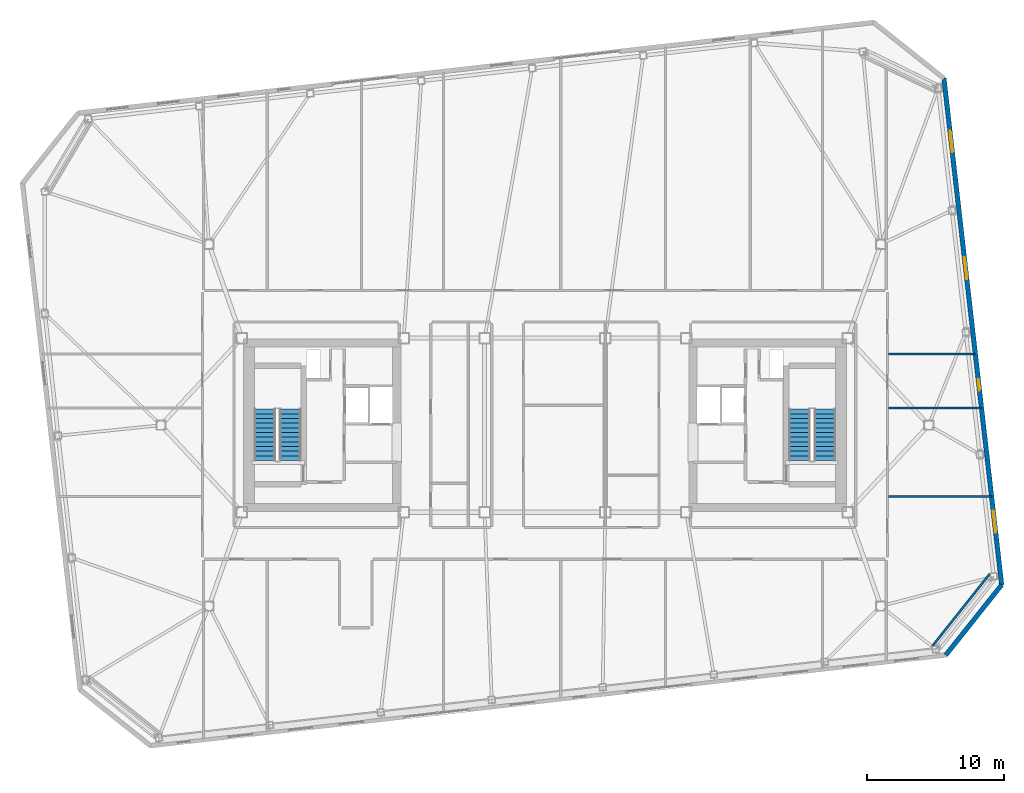
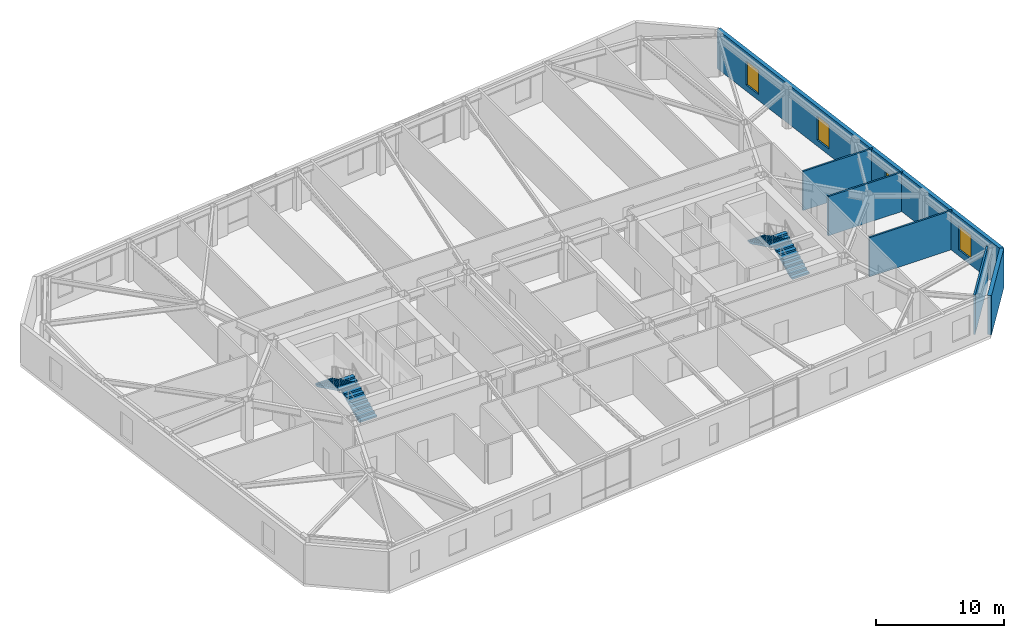
# One storey, part 16 of 19: 6 walls, 4 stair flights, 4 windows, 4 openings, 2 elements without a shape of their own.
"""IFC4 building model written with IfcOpenShell, lengths in metres."""

from ifc_helpers import new_model, si_unit, direction, frame, frame_2d, origin, place, context, subcontext, project, spatial, polyline, rectangle, outline, extrude, material, layer, layer_set, type_object, element, fill, aggregate, save


model = new_model("IFC4")

# Units and contexts
model_context = context("Model", 3, precision=1e-05, world=origin(), true_north=direction((0.0, 1.0)))
body_context = subcontext(model_context, "Body", "Model", "MODEL_VIEW")
ifc_project = project(units=[si_unit("LENGTHUNIT", "METRE"), si_unit("AREAUNIT", "SQUARE_METRE"), si_unit("VOLUMEUNIT", "CUBIC_METRE"), si_unit("PLANEANGLEUNIT", "RADIAN"), si_unit("MASSUNIT", "GRAM", prefix="KILO")], contexts=[model_context])

# Site, building, storey
site_placement = place(None, origin())
site = spatial("IfcSite", under=ifc_project, at=site_placement, CompositionType="ELEMENT")
building_placement = place(site_placement, origin())
building = spatial("IfcBuilding", under=site, at=building_placement, Name="Tavrogorsk Clinical Tower", CompositionType="ELEMENT")
storey_placement = place(building_placement, frame((0.0, 0.0, 255.0)))
storey = spatial("IfcBuildingStorey", under=building, at=storey_placement, Name="L59", CompositionType="ELEMENT", Elevation=255.0)

# Walls
ifc_material_1 = material(Name="Lightweight concrete blockwork B15", Category="masonry")
ifc_layer_1 = layer(ifc_material_1, 0.159912109375)
ifc_layer_set_1 = layer_set([ifc_layer_1], Name="Lightweight concrete blockwork B15")
wall_type_1 = type_object("IfcWallType", Name="PartitionWall_160", PredefinedType="PARTITIONING", material=ifc_layer_set_1)
wall_1_placement = place(storey_placement, frame((28.242431640625, -16.1337890625, 0.0), z_axis=(0.0, 0.0, 1.0), x_axis=(0.622521563328, 0.782602647064, 0.0)))
element("IfcWall", 1, at=wall_1_placement, inside=storey, type_object=wall_type_1, Name="L59 Corner Exoskeleton Brace Furring Wall 1", PredefinedType="PARTITIONING", context=body_context, shape_type="SweptSolid", body=[
    extrude(rectangle(XDim=6.788330078125, YDim=0.159912109375, at=frame_2d((3.39404296875, 0.0))), origin(), (0.0, 0.0, 1.0), 3.739990234375),
])
wall_2_placement = place(storey_placement, frame((25.06494140625, -5.199951171875, 0.0), z_axis=(0.0, 0.0, 1.0), x_axis=(1.0, 0.0, 0.0)))
element("IfcWall", 2, at=wall_2_placement, inside=storey, type_object=wall_type_1, Name="L59 E Wing Divider 1", PredefinedType="PARTITIONING", context=body_context, shape_type="SweptSolid", body=[
    extrude(rectangle(XDim=7.498046875, YDim=0.159912109375, at=frame_2d((3.7490234375, 0.0))), origin(), (0.0, 0.0, 1.0), 3.739990234375),
])
wall_3_placement = place(storey_placement, frame((25.06494140625, 1.25, 0.0), z_axis=(0.0, 0.0, 1.0), x_axis=(1.0, 0.0, 0.0)))
element("IfcWall", 3, at=wall_3_placement, inside=storey, type_object=wall_type_1, Name="L59 E Wing Divider 2", PredefinedType="PARTITIONING", context=body_context, shape_type="SweptSolid", body=[
    extrude(rectangle(XDim=6.76318359375, YDim=0.159912109375, at=frame_2d((3.381591796875, 0.0))), origin(), (0.0, 0.0, 1.0), 3.739990234375),
])
wall_4_placement = place(storey_placement, frame((25.06494140625, 5.199951171875, 0.0), z_axis=(0.0, 0.0, 1.0), x_axis=(1.0, 0.0, 0.0)))
element("IfcWall", 4, at=wall_4_placement, inside=storey, type_object=wall_type_1, Name="L59 E Wing Divider 3", PredefinedType="PARTITIONING", context=body_context, shape_type="SweptSolid", body=[
    extrude(rectangle(XDim=6.313232421875, YDim=0.159912109375, at=frame_2d((3.15673828125, 0.0))), origin(), (0.0, 0.0, 1.0), 3.739990234375),
])

# Wall, openings, windows
ifc_material_2 = material(Name="Precast concrete B45 with limestone cladding", Category="masonry")
ifc_layer_2 = layer(ifc_material_2, 0.340087890625)
ifc_layer_set_2 = layer_set([ifc_layer_2], Name="Precast concrete B45 with limestone cladding")
wall_type_2 = type_object("IfcWallType", Name="PrecastLimestoneWall_340", PredefinedType="STANDARD", material=ifc_layer_set_2)
wall_5_placement = place(storey_placement, frame((33.318115234375, -11.65087890625, 0.0), z_axis=(0.0, 0.0, 1.0), x_axis=(-0.11320360501, 0.9935718111, 0.0)))
wall_5 = element("IfcWall", 5, at=wall_5_placement, inside=storey, type_object=wall_type_2, Name="L59 E Pleated Limestone Wing Wall", PredefinedType="STANDARD", context=body_context, shape_type="SweptSolid", body=[
    extrude(rectangle(XDim=37.199951171875, YDim=0.340087890625, at=frame_2d((18.60009765625, 0.0))), origin(), (0.0, 0.0, 1.0), 3.739990234375),
])
opening_1_placement = place(wall_5_placement, frame((3.85009765625, 0.0, 0.580078125)))
opening_1 = element("IfcOpeningElement", 6, at=opening_1_placement, cuts=wall_5, Name="Opening WN-07", PredefinedType="OPENING", context=body_context, shape_type="SweptSolid", body=[
    extrude(rectangle(XDim=1.60009765625, YDim=2.300048828125, at=frame_2d((0.800048828125, 1.14990234375))), frame((0.0, 0.179931640625, 0.0), z_axis=(0.0, -1.0, 0.0), x_axis=(1.0, 0.0, 0.0)), (0.0, 0.0, 1.0), 0.360107421875),
])
opening_2_placement = place(wall_5_placement, frame((14.25, 0.0, 0.75)))
opening_2 = element("IfcOpeningElement", 7, at=opening_2_placement, cuts=wall_5, Name="Opening WN-06", PredefinedType="OPENING", context=body_context, shape_type="SweptSolid", body=[
    extrude(rectangle(XDim=0.85009765625, YDim=1.85009765625, at=frame_2d((0.425048828125, 0.925048828125))), frame((0.0, 0.179931640625, 0.0), z_axis=(0.0, -1.0, 0.0), x_axis=(1.0, 0.0, 0.0)), (0.0, 0.0, 1.0), 0.360107421875),
])
opening_3_placement = place(wall_5_placement, frame((22.449951171875, 0.0, 0.580078125)))
opening_3 = element("IfcOpeningElement", 8, at=opening_3_placement, cuts=wall_5, Name="Opening WN-07", PredefinedType="OPENING", context=body_context, shape_type="SweptSolid", body=[
    extrude(rectangle(XDim=1.60009765625, YDim=2.300048828125, at=frame_2d((0.800048828125, 1.14990234375))), frame((0.0, 0.179931640625, 0.0), z_axis=(0.0, -1.0, 0.0), x_axis=(1.0, 0.0, 0.0)), (0.0, 0.0, 1.0), 0.360107421875),
])
opening_4_placement = place(wall_5_placement, frame((31.75, 0.0, 0.580078125)))
opening_4 = element("IfcOpeningElement", 9, at=opening_4_placement, cuts=wall_5, Name="Opening WN-07", PredefinedType="OPENING", context=body_context, shape_type="SweptSolid", body=[
    extrude(rectangle(XDim=1.60009765625, YDim=2.300048828125, at=frame_2d((0.800048828125, 1.14990234375))), frame((0.0, 0.179931640625, 0.0), z_axis=(0.0, -1.0, 0.0), x_axis=(1.0, 0.0, 0.0)), (0.0, 0.0, 1.0), 0.360107421875),
])
ifc_material_3 = material(Name="Thermally broken aluminium frame and triple IGU", Category="aluminium")
window_type_1 = type_object("IfcWindowType", Name="MullionSubWin_850x1850", PartitioningType="SINGLE_PANEL", PredefinedType="WINDOW", material=ifc_material_3)
window_1_placement = place(opening_2_placement, origin())
window_1 = element("IfcWindow", 10, at=window_1_placement, inside=storey, type_object=window_type_1, Name="L59 E Pleat Mullion Window 2B", OverallHeight=1.85009765625, OverallWidth=0.85009765625, PartitioningType="SINGLE_PANEL", PredefinedType="WINDOW", context=body_context, shape_type="SweptSolid", body=[
    extrude(rectangle(XDim=0.85009765625, YDim=1.85009765625, at=frame_2d((0.425048828125, 0.925048828125))), frame((0.0, 0.030029296875, 0.0), z_axis=(0.0, -1.0, 0.0), x_axis=(1.0, 0.0, 0.0)), (0.0, 0.0, 1.0), 0.06005859375),
])
fill(opening_2, window_1)
ifc_material_4 = material(Name="Thermally broken aluminium frame and triple IGU", Category="aluminium")
window_type_2 = type_object("IfcWindowType", Name="PleatSlotWin_1600x2300", PartitioningType="SINGLE_PANEL", PredefinedType="WINDOW", material=ifc_material_4)
window_2_placement = place(opening_1_placement, origin())
window_2 = element("IfcWindow", 11, at=window_2_placement, inside=storey, type_object=window_type_2, Name="L59 E Pleat Slot Window 1", OverallHeight=2.300048828125, OverallWidth=1.60009765625, PartitioningType="SINGLE_PANEL", PredefinedType="WINDOW", context=body_context, shape_type="SweptSolid", body=[
    extrude(rectangle(XDim=1.60009765625, YDim=2.300048828125, at=frame_2d((0.800048828125, 1.14990234375))), frame((0.0, 0.030029296875, 0.0), z_axis=(0.0, -1.0, 0.0), x_axis=(1.0, 0.0, 0.0)), (0.0, 0.0, 1.0), 0.06005859375),
])
fill(opening_1, window_2)
window_3_placement = place(opening_3_placement, origin())
window_3 = element("IfcWindow", 12, at=window_3_placement, inside=storey, type_object=window_type_2, Name="L59 E Pleat Slot Window 3", OverallHeight=2.300048828125, OverallWidth=1.60009765625, PartitioningType="SINGLE_PANEL", PredefinedType="WINDOW", context=body_context, shape_type="SweptSolid", body=[
    extrude(rectangle(XDim=1.60009765625, YDim=2.300048828125, at=frame_2d((0.800048828125, 1.14990234375))), frame((0.0, 0.030029296875, 0.0), z_axis=(0.0, -1.0, 0.0), x_axis=(1.0, 0.0, 0.0)), (0.0, 0.0, 1.0), 0.06005859375),
])
fill(opening_3, window_3)
window_4_placement = place(opening_4_placement, origin())
window_4 = element("IfcWindow", 13, at=window_4_placement, inside=storey, type_object=window_type_2, Name="L59 E Pleat Slot Window 4", OverallHeight=2.300048828125, OverallWidth=1.60009765625, PartitioningType="SINGLE_PANEL", PredefinedType="WINDOW", context=body_context, shape_type="SweptSolid", body=[
    extrude(rectangle(XDim=1.60009765625, YDim=2.300048828125, at=frame_2d((0.800048828125, 1.14990234375))), frame((0.0, 0.030029296875, 0.0), z_axis=(0.0, -1.0, 0.0), x_axis=(1.0, 0.0, 0.0)), (0.0, 0.0, 1.0), 0.06005859375),
])
fill(opening_4, window_4)

# Wall
wall_6_placement = place(storey_placement, frame((29.241943359375, -16.775146484375, 0.0), z_axis=(0.0, 0.0, 1.0), x_axis=(0.62252823689, 0.78259733853, 0.0)))
element("IfcWall", 14, at=wall_6_placement, inside=storey, type_object=wall_type_2, Name="L59 Chamfered Corner Wall 1", PredefinedType="STANDARD", context=body_context, shape_type="SweptSolid", body=[
    extrude(rectangle(XDim=6.5478515625, YDim=0.340087890625, at=frame_2d((3.27392578125, 0.0))), origin(), (0.0, 0.0, 1.0), 3.739990234375),
])

# Stair, stair flights
ifc_material_5 = material(Name="Concrete B60", Category="concrete")
stair_type = type_object("IfcStairType", Name="CoreStairAssembly", PredefinedType="HALF_TURN_STAIR", material=ifc_material_5)
stair_1_placement = place(storey_placement, origin())
stair_1 = element("IfcStair", 15, at=stair_1_placement, inside=storey, type_object=stair_type, Name="L59 ST-W", PredefinedType="HALF_TURN_STAIR")
ifc_material_6 = material(Name="Concrete B60", Category="concrete")
stair_flight_type = type_object("IfcStairFlightType", Name="CoreStairFlight", PredefinedType="STRAIGHT", material=ifc_material_6)
stair_flight_1_placement = place(storey_placement, frame((-18.574951171875, -2.574951171875, 0.0), z_axis=(0.0, 0.0, 1.0), x_axis=(0.0, 1.0, 0.0)))
stair_flight_1 = element("IfcStairFlight", 16, at=stair_flight_1_placement, type_object=stair_flight_type, Name="ST-W flight 1", NumberOfRisers=12, NumberOfTreads=11, PredefinedType="STRAIGHT", RiserHeight=0.166666667, TreadLength=0.34, context=body_context, shape_type="SweptSolid", body=[
    extrude(outline(polyline([(0.0, 0.0), (0.0, 0.166748046875), (0.340087890625, 0.166748046875), (0.340087890625, 0.333251953125), (0.679931640625, 0.333251953125), (0.679931640625, 0.5), (1.02001953125, 0.5), (1.02001953125, 0.666748046875), (1.360107421875, 0.666748046875), (1.360107421875, 0.833251953125), (1.699951171875, 0.833251953125), (1.699951171875, 1.0), (2.0400390625, 1.0), (2.0400390625, 1.166748046875), (2.3798828125, 1.166748046875), (2.3798828125, 1.333251953125), (2.719970703125, 1.333251953125), (2.719970703125, 1.5), (3.06005859375, 1.5), (3.06005859375, 1.666748046875), (3.39990234375, 1.666748046875), (3.39990234375, 1.833251953125), (3.739990234375, 1.833251953125), (3.739990234375, 2.0), (3.739990234375, 1.66650390625), (0.340576171875, 0.0), (0.0, 0.0)])), frame((0.0, 0.77490234375, 0.0), z_axis=(0.0, -1.0, 0.0), x_axis=(1.0, 0.0, 0.0)), (0.0, 0.0, 1.0), 1.550048828125),
])
stair_flight_2_placement = place(storey_placement, frame((-20.425048828125, 1.1650390625, 2.0), z_axis=(0.0, 0.0, 1.0), x_axis=(0.0, -1.0, 0.0)))
stair_flight_2 = element("IfcStairFlight", 17, at=stair_flight_2_placement, type_object=stair_flight_type, Name="ST-W flight 2", NumberOfRisers=12, NumberOfTreads=11, PredefinedType="STRAIGHT", RiserHeight=0.166666667, TreadLength=0.34, context=body_context, shape_type="SweptSolid", body=[
    extrude(outline(polyline([(0.0, 0.0), (0.0, 0.166748046875), (0.340087890625, 0.166748046875), (0.340087890625, 0.333251953125), (0.679931640625, 0.333251953125), (0.679931640625, 0.5), (1.02001953125, 0.5), (1.02001953125, 0.666748046875), (1.360107421875, 0.666748046875), (1.360107421875, 0.833251953125), (1.699951171875, 0.833251953125), (1.699951171875, 1.0), (2.0400390625, 1.0), (2.0400390625, 1.166748046875), (2.3798828125, 1.166748046875), (2.3798828125, 1.333251953125), (2.719970703125, 1.333251953125), (2.719970703125, 1.5), (3.06005859375, 1.5), (3.06005859375, 1.666748046875), (3.39990234375, 1.666748046875), (3.39990234375, 1.833251953125), (3.739990234375, 1.833251953125), (3.739990234375, 2.0), (3.739990234375, 1.66650390625), (0.340576171875, 0.0), (0.0, 0.0)])), frame((0.0, 0.77490234375, 0.0), z_axis=(0.0, -1.0, 0.0), x_axis=(1.0, 0.0, 0.0)), (0.0, 0.0, 1.0), 1.550048828125),
])
aggregate(stair_1, [stair_flight_1, stair_flight_2])

stair_2_placement = place(storey_placement, origin())
stair_2 = element("IfcStair", 18, at=stair_2_placement, inside=storey, type_object=stair_type, Name="L59 ST-E", PredefinedType="HALF_TURN_STAIR")
stair_flight_3_placement = place(storey_placement, frame((20.425048828125, -2.574951171875, 0.0), z_axis=(0.0, 0.0, 1.0), x_axis=(0.0, 1.0, 0.0)))
stair_flight_3 = element("IfcStairFlight", 19, at=stair_flight_3_placement, type_object=stair_flight_type, Name="ST-E flight 1", NumberOfRisers=12, NumberOfTreads=11, PredefinedType="STRAIGHT", RiserHeight=0.166666667, TreadLength=0.34, context=body_context, shape_type="SweptSolid", body=[
    extrude(outline(polyline([(0.0, 0.0), (0.0, 0.166748046875), (0.340087890625, 0.166748046875), (0.340087890625, 0.333251953125), (0.679931640625, 0.333251953125), (0.679931640625, 0.5), (1.02001953125, 0.5), (1.02001953125, 0.666748046875), (1.360107421875, 0.666748046875), (1.360107421875, 0.833251953125), (1.699951171875, 0.833251953125), (1.699951171875, 1.0), (2.0400390625, 1.0), (2.0400390625, 1.166748046875), (2.3798828125, 1.166748046875), (2.3798828125, 1.333251953125), (2.719970703125, 1.333251953125), (2.719970703125, 1.5), (3.06005859375, 1.5), (3.06005859375, 1.666748046875), (3.39990234375, 1.666748046875), (3.39990234375, 1.833251953125), (3.739990234375, 1.833251953125), (3.739990234375, 2.0), (3.739990234375, 1.66650390625), (0.340576171875, 0.0), (0.0, 0.0)])), frame((0.0, 0.77490234375, 0.0), z_axis=(0.0, -1.0, 0.0), x_axis=(1.0, 0.0, 0.0)), (0.0, 0.0, 1.0), 1.550048828125),
])
stair_flight_4_placement = place(storey_placement, frame((18.574951171875, 1.1650390625, 2.0), z_axis=(0.0, 0.0, 1.0), x_axis=(0.0, -1.0, 0.0)))
stair_flight_4 = element("IfcStairFlight", 20, at=stair_flight_4_placement, type_object=stair_flight_type, Name="ST-E flight 2", NumberOfRisers=12, NumberOfTreads=11, PredefinedType="STRAIGHT", RiserHeight=0.166666667, TreadLength=0.34, context=body_context, shape_type="SweptSolid", body=[
    extrude(outline(polyline([(0.0, 0.0), (0.0, 0.166748046875), (0.340087890625, 0.166748046875), (0.340087890625, 0.333251953125), (0.679931640625, 0.333251953125), (0.679931640625, 0.5), (1.02001953125, 0.5), (1.02001953125, 0.666748046875), (1.360107421875, 0.666748046875), (1.360107421875, 0.833251953125), (1.699951171875, 0.833251953125), (1.699951171875, 1.0), (2.0400390625, 1.0), (2.0400390625, 1.166748046875), (2.3798828125, 1.166748046875), (2.3798828125, 1.333251953125), (2.719970703125, 1.333251953125), (2.719970703125, 1.5), (3.06005859375, 1.5), (3.06005859375, 1.666748046875), (3.39990234375, 1.666748046875), (3.39990234375, 1.833251953125), (3.739990234375, 1.833251953125), (3.739990234375, 2.0), (3.739990234375, 1.66650390625), (0.340576171875, 0.0), (0.0, 0.0)])), frame((0.0, 0.77490234375, 0.0), z_axis=(0.0, -1.0, 0.0), x_axis=(1.0, 0.0, 0.0)), (0.0, 0.0, 1.0), 1.550048828125),
])
aggregate(stair_2, [stair_flight_3, stair_flight_4])

save(model, "model.ifc")
